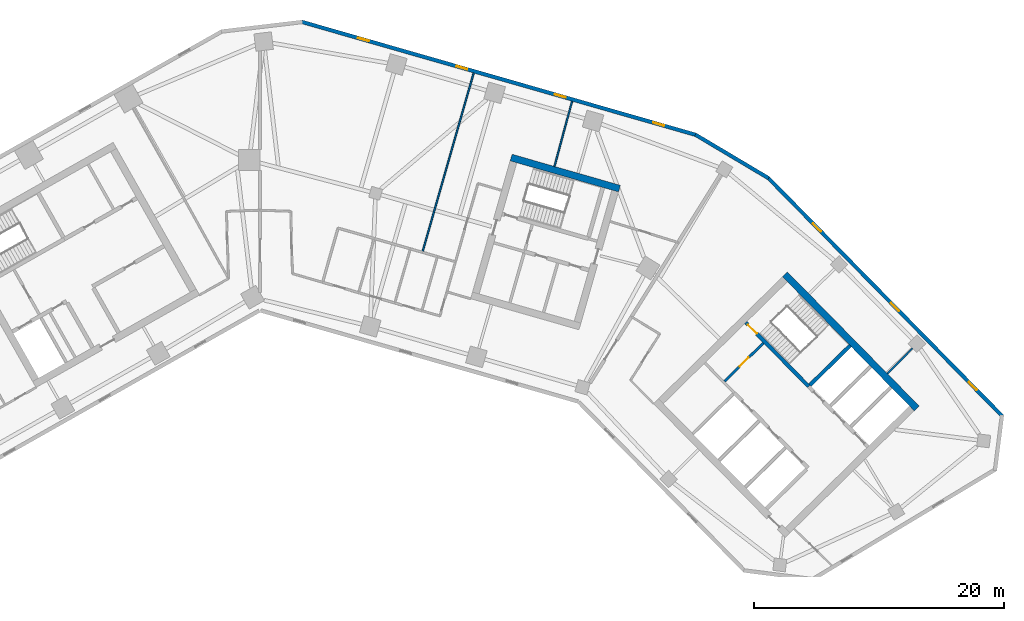
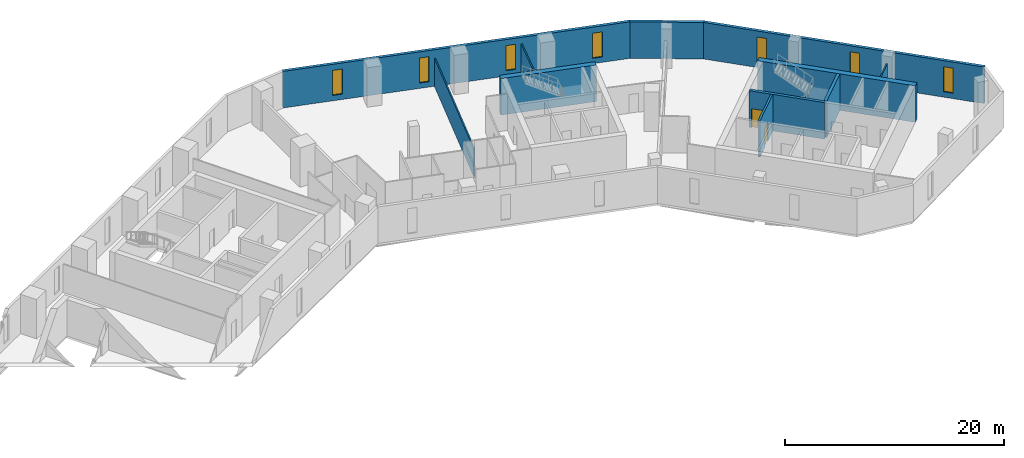
# One storey, part 7 of 10: 11 walls, 7 windows, 2 doors, 9 openings.
"""IFC4 building model written with IfcOpenShell, lengths in metres."""

from ifc_helpers import new_model, si_unit, direction, frame, frame_2d, origin, place, context, subcontext, project, spatial, rectangle, extrude, material, layer, layer_set, type_object, element, fill, save


model = new_model("IFC4")

# Units and contexts
model_context = context("Model", 3, precision=1e-05, world=origin(), true_north=direction((0.0, 1.0)))
body_context = subcontext(model_context, "Body", "Model", "MODEL_VIEW")
ifc_project = project(units=[si_unit("LENGTHUNIT", "METRE"), si_unit("AREAUNIT", "SQUARE_METRE"), si_unit("VOLUMEUNIT", "CUBIC_METRE"), si_unit("PLANEANGLEUNIT", "RADIAN"), si_unit("MASSUNIT", "GRAM", prefix="KILO")], contexts=[model_context])

# Site, building, storey
site_placement = place(None, origin())
site = spatial("IfcSite", under=ifc_project, at=site_placement, CompositionType="ELEMENT")
building_placement = place(site_placement, origin())
building = spatial("IfcBuilding", under=site, at=building_placement, Name="Binnacle Exchange Tower", CompositionType="ELEMENT")
storey_placement = place(building_placement, frame((0.0, 0.0, 101.5)))
storey = spatial("IfcBuildingStorey", under=building, at=storey_placement, Name="L20", CompositionType="ELEMENT", Elevation=101.5)

# Walls
ifc_material_1 = material(Name="Concrete C70/85", Category="concrete")
ifc_layer_1 = layer(ifc_material_1, 0.550048828125)
ifc_layer_set_1 = layer_set([ifc_layer_1], Name="Core wall - outer 550")
wall_type_1 = type_object("IfcWallType", Name="Core wall - outer 550", PredefinedType="SOLIDWALL", material=ifc_layer_set_1)
wall_1_placement = place(storey_placement, frame((41.934326171875, 50.873291015625, 0.0), z_axis=(0.0, 0.0, 1.0), x_axis=(0.700911255944, -0.713248491965, 0.0)))
element("IfcWall", 1, at=wall_1_placement, inside=storey, type_object=wall_type_1, Name="Core wall CRWB6", PredefinedType="SOLIDWALL", context=body_context, shape_type="SweptSolid", body=[
    extrude(rectangle(XDim=15.0, YDim=0.550048828125, at=frame_2d((7.5, 0.0))), origin(), (0.0, 0.0, 1.0), 4.080078125),
])
wall_2_placement = place(storey_placement, frame((20.059814453125, 60.20361328125, 0.0), z_axis=(0.0, 0.0, 1.0), x_axis=(0.96126248289, -0.275634611374, 0.0)))
element("IfcWall", 2, at=wall_2_placement, inside=storey, type_object=wall_type_1, Name="Core wall CRWD6", PredefinedType="SOLIDWALL", context=body_context, shape_type="SweptSolid", body=[
    extrude(rectangle(XDim=9.0, YDim=0.550048828125, at=frame_2d((4.5, 0.0))), origin(), (0.0, 0.0, 1.0), 4.080078125),
])

# Wall, opening, door
ifc_layer_2 = layer(ifc_material_1, 0.300048828125)
ifc_layer_set_2 = layer_set([ifc_layer_2], Name="Core wall - stair 300")
wall_type_2 = type_object("IfcWallType", Name="Core wall - stair 300", PredefinedType="SOLIDWALL", material=ifc_layer_set_2)
wall_3_placement = place(storey_placement, frame((38.806884765625, 47.029052734375, 0.0), z_axis=(0.0, 0.0, 1.0), x_axis=(0.700916852778, -0.713242991898, 0.0)))
wall_3 = element("IfcWall", 3, at=wall_3_placement, inside=storey, type_object=wall_type_2, Name="Core wall CRWB4", PredefinedType="SOLIDWALL", context=body_context, shape_type="SweptSolid", body=[
    extrude(rectangle(XDim=7.150146484375, YDim=0.300048828125, at=frame_2d((3.5751953125, 0.0))), origin(), (0.0, 0.0, 1.0), 4.080078125),
])
opening_1_placement = place(wall_3_placement, frame((0.25, 0.0, 0.0)))
opening_1 = element("IfcOpeningElement", 4, at=opening_1_placement, cuts=wall_3, Name="Opening DB1", PredefinedType="OPENING", context=body_context, shape_type="SweptSolid", body=[
    extrude(rectangle(XDim=1.0, YDim=2.10009765625, at=frame_2d((0.5, 1.050048828125))), frame((0.0, 0.159912109375, 0.0), z_axis=(0.0, -1.0, 0.0), x_axis=(1.0, 0.0, 0.0)), (0.0, 0.0, 1.0), 0.320068359375),
])
ifc_material_2 = material(Name="Steel door leaf", Category="steel")
door_type = type_object("IfcDoorType", Name="Fire door 1000", OperationType="NOTDEFINED", PredefinedType="DOOR", material=ifc_material_2)
door_1_placement = place(opening_1_placement, origin())
door_1 = element("IfcDoor", 5, at=door_1_placement, inside=storey, type_object=door_type, Name="Stair door ST-B1", OperationType="SINGLE_SWING_LEFT", OverallHeight=2.10009765625, OverallWidth=1.0, PredefinedType="DOOR", context=body_context, shape_type="SweptSolid", body=[
    extrude(rectangle(XDim=1.0, YDim=2.10009765625, at=frame_2d((0.5, 1.050048828125))), frame((0.0, 0.02490234375, 0.0), z_axis=(0.0, -1.0, 0.0), x_axis=(1.0, 0.0, 0.0)), (0.0, 0.0, 1.0), 0.050048828125),
])
fill(opening_1, door_1)

# Walls
wall_4_placement = place(storey_placement, frame((43.925537109375, 42.034423828125, 0.0), z_axis=(0.0, 0.0, 1.0), x_axis=(0.713210801054, 0.700949608217, 0.0)))
element("IfcWall", 6, at=wall_4_placement, inside=storey, type_object=wall_type_2, Name="Core wall CRWB11", PredefinedType="SOLIDWALL", context=body_context, shape_type="SweptSolid", body=[
    extrude(rectangle(XDim=4.5, YDim=0.300048828125, at=frame_2d((2.25, 0.0))), origin(), (0.0, 0.0, 1.0), 4.080078125),
])
ifc_material_3 = material(Name="Bronze aluminium cladding", Category="aluminium")
ifc_layer_3 = layer(ifc_material_3, 0.300048828125)
ifc_layer_set_3 = layer_set([ifc_layer_3], Name="External wall - spandrel 300")
wall_type_3 = type_object("IfcWallType", Name="External wall - spandrel 300", PredefinedType="STANDARD", material=ifc_layer_set_3)
wall_5_placement = place(storey_placement, frame((34.773193359375, 62.0341796875, 0.0), z_axis=(0.0, 0.0, 1.0), x_axis=(0.859401317772, -0.511301647769, 0.0)))
element("IfcWall", 7, at=wall_5_placement, inside=storey, type_object=wall_type_3, Name="External wall EW-F00 L20", PredefinedType="STANDARD", context=body_context, shape_type="SweptSolid", body=[
    extrude(rectangle(XDim=6.80810546875, YDim=0.300048828125, at=frame_2d((3.404052734375, 0.0))), origin(), (0.0, 0.0, 1.0), 4.080078125),
])

# Wall, openings, windows
wall_6_placement = place(storey_placement, frame((3.33544921875, 71.043701171875, 0.0), z_axis=(0.0, 0.0, 1.0), x_axis=(0.961260130989, -0.275642813387, 0.0)))
wall_6 = element("IfcWall", 8, at=wall_6_placement, inside=storey, type_object=wall_type_3, Name="External wall EW-F01 L20", PredefinedType="STANDARD", context=body_context, shape_type="SweptSolid", body=[
    extrude(rectangle(XDim=32.7412109375, YDim=0.300048828125, at=frame_2d((16.37060546875, 0.0))), origin(), (0.0, 0.0, 1.0), 4.080078125),
])
opening_2_placement = place(wall_6_placement, frame((29.20703125, 0.0, 0.60009765625)))
opening_2 = element("IfcOpeningElement", 9, at=opening_2_placement, cuts=wall_6, Name="Opening WS2", PredefinedType="OPENING", context=body_context, shape_type="SweptSolid", body=[
    extrude(rectangle(XDim=0.89990234375, YDim=2.800048828125, at=frame_2d((0.449951171875, 1.39990234375))), frame((0.0, 0.159912109375, 0.0), z_axis=(0.0, -1.0, 0.0), x_axis=(1.0, 0.0, 0.0)), (0.0, 0.0, 1.0), 0.320068359375),
])
opening_3_placement = place(wall_6_placement, frame((21.0341796875, 0.0, 0.60009765625)))
opening_3 = element("IfcOpeningElement", 10, at=opening_3_placement, cuts=wall_6, Name="Opening WS2", PredefinedType="OPENING", context=body_context, shape_type="SweptSolid", body=[
    extrude(rectangle(XDim=0.89990234375, YDim=2.800048828125, at=frame_2d((0.449951171875, 1.39990234375))), frame((0.0, 0.159912109375, 0.0), z_axis=(0.0, -1.0, 0.0), x_axis=(1.0, 0.0, 0.0)), (0.0, 0.0, 1.0), 0.320068359375),
])
opening_4_placement = place(wall_6_placement, frame((12.861083984375, 0.0, 0.60009765625)))
opening_4 = element("IfcOpeningElement", 11, at=opening_4_placement, cuts=wall_6, Name="Opening WS2", PredefinedType="OPENING", context=body_context, shape_type="SweptSolid", body=[
    extrude(rectangle(XDim=0.89990234375, YDim=2.800048828125, at=frame_2d((0.449951171875, 1.39990234375))), frame((0.0, 0.159912109375, 0.0), z_axis=(0.0, -1.0, 0.0), x_axis=(1.0, 0.0, 0.0)), (0.0, 0.0, 1.0), 0.320068359375),
])
opening_5_placement = place(wall_6_placement, frame((4.688232421875, 0.0, 0.60009765625)))
opening_5 = element("IfcOpeningElement", 12, at=opening_5_placement, cuts=wall_6, Name="Opening WS2", PredefinedType="OPENING", context=body_context, shape_type="SweptSolid", body=[
    extrude(rectangle(XDim=0.89990234375, YDim=2.800048828125, at=frame_2d((0.449951171875, 1.39990234375))), frame((0.0, 0.159912109375, 0.0), z_axis=(0.0, -1.0, 0.0), x_axis=(1.0, 0.0, 0.0)), (0.0, 0.0, 1.0), 0.320068359375),
])
ifc_material_4 = material(Name="Bronze anodised aluminium frame", Category="aluminium")
window_type = type_object("IfcWindowType", Name="WS2 WINDOW 900x2800", PartitioningType="SINGLE_PANEL", PredefinedType="WINDOW", material=ifc_material_4)
window_1_placement = place(opening_2_placement, origin())
window_1 = element("IfcWindow", 13, at=window_1_placement, inside=storey, type_object=window_type, Name="Window WS2 L20", OverallHeight=2.800048828125, OverallWidth=0.89990234375, PartitioningType="SINGLE_PANEL", PredefinedType="WINDOW", context=body_context, shape_type="SweptSolid", body=[
    extrude(rectangle(XDim=0.89990234375, YDim=2.800048828125, at=frame_2d((0.449951171875, 1.39990234375))), frame((0.0, 0.030029296875, 0.0), z_axis=(0.0, -1.0, 0.0), x_axis=(1.0, 0.0, 0.0)), (0.0, 0.0, 1.0), 0.06005859375),
])
fill(opening_2, window_1)
window_2_placement = place(opening_3_placement, origin())
window_2 = element("IfcWindow", 14, at=window_2_placement, inside=storey, type_object=window_type, Name="Window WS2 L20", OverallHeight=2.800048828125, OverallWidth=0.89990234375, PartitioningType="SINGLE_PANEL", PredefinedType="WINDOW", context=body_context, shape_type="SweptSolid", body=[
    extrude(rectangle(XDim=0.89990234375, YDim=2.800048828125, at=frame_2d((0.449951171875, 1.39990234375))), frame((0.0, 0.030029296875, 0.0), z_axis=(0.0, -1.0, 0.0), x_axis=(1.0, 0.0, 0.0)), (0.0, 0.0, 1.0), 0.06005859375),
])
fill(opening_3, window_2)
window_3_placement = place(opening_4_placement, origin())
window_3 = element("IfcWindow", 15, at=window_3_placement, inside=storey, type_object=window_type, Name="Window WS2 L20", OverallHeight=2.800048828125, OverallWidth=0.89990234375, PartitioningType="SINGLE_PANEL", PredefinedType="WINDOW", context=body_context, shape_type="SweptSolid", body=[
    extrude(rectangle(XDim=0.89990234375, YDim=2.800048828125, at=frame_2d((0.449951171875, 1.39990234375))), frame((0.0, 0.030029296875, 0.0), z_axis=(0.0, -1.0, 0.0), x_axis=(1.0, 0.0, 0.0)), (0.0, 0.0, 1.0), 0.06005859375),
])
fill(opening_4, window_3)
window_4_placement = place(opening_5_placement, origin())
window_4 = element("IfcWindow", 16, at=window_4_placement, inside=storey, type_object=window_type, Name="Window WS2 L20", OverallHeight=2.800048828125, OverallWidth=0.89990234375, PartitioningType="SINGLE_PANEL", PredefinedType="WINDOW", context=body_context, shape_type="SweptSolid", body=[
    extrude(rectangle(XDim=0.89990234375, YDim=2.800048828125, at=frame_2d((0.449951171875, 1.39990234375))), frame((0.0, 0.030029296875, 0.0), z_axis=(0.0, -1.0, 0.0), x_axis=(1.0, 0.0, 0.0)), (0.0, 0.0, 1.0), 0.06005859375),
])
fill(opening_5, window_4)

wall_7_placement = place(storey_placement, frame((40.59375, 58.576904296875, 0.0), z_axis=(0.0, 0.0, 1.0), x_axis=(0.700909719808, -0.713250001528, 0.0)))
wall_7 = element("IfcWall", 17, at=wall_7_placement, inside=storey, type_object=wall_type_3, Name="External wall EW-F13 L20", PredefinedType="STANDARD", context=body_context, shape_type="SweptSolid", body=[
    extrude(rectangle(XDim=26.70849609375, YDim=0.300048828125, at=frame_2d((13.354248046875, 0.0))), origin(), (0.0, 0.0, 1.0), 4.080078125),
])
opening_6_placement = place(wall_7_placement, frame((22.8583984375, 0.0, 0.60009765625)))
opening_6 = element("IfcOpeningElement", 18, at=opening_6_placement, cuts=wall_7, Name="Opening WS2", PredefinedType="OPENING", context=body_context, shape_type="SweptSolid", body=[
    extrude(rectangle(XDim=0.89990234375, YDim=2.800048828125, at=frame_2d((0.449951171875, 1.39990234375))), frame((0.0, 0.159912109375, 0.0), z_axis=(0.0, -1.0, 0.0), x_axis=(1.0, 0.0, 0.0)), (0.0, 0.0, 1.0), 0.320068359375),
])
opening_7_placement = place(wall_7_placement, frame((13.986572265625, 0.0, 0.60009765625)))
opening_7 = element("IfcOpeningElement", 19, at=opening_7_placement, cuts=wall_7, Name="Opening WS2", PredefinedType="OPENING", context=body_context, shape_type="SweptSolid", body=[
    extrude(rectangle(XDim=0.89990234375, YDim=2.800048828125, at=frame_2d((0.449951171875, 1.39990234375))), frame((0.0, 0.159912109375, 0.0), z_axis=(0.0, -1.0, 0.0), x_axis=(1.0, 0.0, 0.0)), (0.0, 0.0, 1.0), 0.320068359375),
])
opening_8_placement = place(wall_7_placement, frame((5.114501953125, 0.0, 0.60009765625)))
opening_8 = element("IfcOpeningElement", 20, at=opening_8_placement, cuts=wall_7, Name="Opening WS2", PredefinedType="OPENING", context=body_context, shape_type="SweptSolid", body=[
    extrude(rectangle(XDim=0.89990234375, YDim=2.800048828125, at=frame_2d((0.449951171875, 1.39990234375))), frame((0.0, 0.159912109375, 0.0), z_axis=(0.0, -1.0, 0.0), x_axis=(1.0, 0.0, 0.0)), (0.0, 0.0, 1.0), 0.320068359375),
])
window_5_placement = place(opening_6_placement, origin())
window_5 = element("IfcWindow", 21, at=window_5_placement, inside=storey, type_object=window_type, Name="Window WS2 L20", OverallHeight=2.800048828125, OverallWidth=0.89990234375, PartitioningType="SINGLE_PANEL", PredefinedType="WINDOW", context=body_context, shape_type="SweptSolid", body=[
    extrude(rectangle(XDim=0.89990234375, YDim=2.800048828125, at=frame_2d((0.449951171875, 1.39990234375))), frame((0.0, 0.030029296875, 0.0), z_axis=(0.0, -1.0, 0.0), x_axis=(1.0, 0.0, 0.0)), (0.0, 0.0, 1.0), 0.06005859375),
])
fill(opening_6, window_5)
window_6_placement = place(opening_7_placement, origin())
window_6 = element("IfcWindow", 22, at=window_6_placement, inside=storey, type_object=window_type, Name="Window WS2 L20", OverallHeight=2.800048828125, OverallWidth=0.89990234375, PartitioningType="SINGLE_PANEL", PredefinedType="WINDOW", context=body_context, shape_type="SweptSolid", body=[
    extrude(rectangle(XDim=0.89990234375, YDim=2.800048828125, at=frame_2d((0.449951171875, 1.39990234375))), frame((0.0, 0.030029296875, 0.0), z_axis=(0.0, -1.0, 0.0), x_axis=(1.0, 0.0, 0.0)), (0.0, 0.0, 1.0), 0.06005859375),
])
fill(opening_7, window_6)
window_7_placement = place(opening_8_placement, origin())
window_7 = element("IfcWindow", 23, at=window_7_placement, inside=storey, type_object=window_type, Name="Window WS2 L20", OverallHeight=2.800048828125, OverallWidth=0.89990234375, PartitioningType="SINGLE_PANEL", PredefinedType="WINDOW", context=body_context, shape_type="SweptSolid", body=[
    extrude(rectangle(XDim=0.89990234375, YDim=2.800048828125, at=frame_2d((0.449951171875, 1.39990234375))), frame((0.0, 0.030029296875, 0.0), z_axis=(0.0, -1.0, 0.0), x_axis=(1.0, 0.0, 0.0)), (0.0, 0.0, 1.0), 0.06005859375),
])
fill(opening_8, window_7)

# Wall, opening, door
ifc_material_5 = material(Name="Masonry block wall", Category="masonry")
ifc_layer_4 = layer(ifc_material_5, 0.199951171875)
ifc_layer_set_4 = layer_set([ifc_layer_4], Name="Fire wall - vestibule 200")
wall_type_4 = type_object("IfcWallType", Name="Fire wall - vestibule 200", PredefinedType="PARTITIONING", material=ifc_layer_set_4)
wall_8_placement = place(storey_placement, frame((37.104248046875, 42.341552734375, 0.0), z_axis=(0.0, 0.0, 1.0), x_axis=(0.713281298468, 0.700877870428, 0.0)))
wall_8 = element("IfcWall", 24, at=wall_8_placement, inside=storey, type_object=wall_type_4, Name="Core wall CRWB8", PredefinedType="PARTITIONING", context=body_context, shape_type="SweptSolid", body=[
    extrude(rectangle(XDim=4.35009765625, YDim=0.199951171875, at=frame_2d((2.175048828125, 0.0))), origin(), (0.0, 0.0, 1.0), 4.080078125),
])
opening_9_placement = place(wall_8_placement, frame((1.699951171875, 0.0, 0.0)))
opening_9 = element("IfcOpeningElement", 25, at=opening_9_placement, cuts=wall_8, Name="Opening DB3", PredefinedType="OPENING", context=body_context, shape_type="SweptSolid", body=[
    extrude(rectangle(XDim=1.0, YDim=2.10009765625, at=frame_2d((0.5, 1.050048828125))), frame((0.0, 0.10986328125, 0.0), z_axis=(0.0, -1.0, 0.0), x_axis=(1.0, 0.0, 0.0)), (0.0, 0.0, 1.0), 0.219970703125),
])
door_2_placement = place(opening_9_placement, origin())
door_2 = element("IfcDoor", 26, at=door_2_placement, inside=storey, type_object=door_type, Name="Vestibule door VEST-W", OperationType="SINGLE_SWING_RIGHT", OverallHeight=2.10009765625, OverallWidth=1.0, PredefinedType="DOOR", context=body_context, shape_type="SweptSolid", body=[
    extrude(rectangle(XDim=1.0, YDim=2.10009765625, at=frame_2d((0.5, 1.050048828125))), frame((0.0, 0.02490234375, 0.0), z_axis=(0.0, -1.0, 0.0), x_axis=(1.0, 0.0, 0.0)), (0.0, 0.0, 1.0), 0.050048828125),
])
fill(opening_9, door_2)

# Walls
ifc_material_6 = material(Name="Gypsum partition")
ifc_layer_5 = layer(ifc_material_6, 0.125)
ifc_layer_set_5 = layer_set([ifc_layer_5], Name="Partition 125")
wall_type_5 = type_object("IfcWallType", Name="Partition 125", PredefinedType="PARTITIONING", material=ifc_layer_set_5)
wall_9_placement = place(storey_placement, frame((12.97412109375, 52.638916015625, 0.0), z_axis=(0.0, 0.0, 1.0), x_axis=(0.275299463768, 0.961358520662, 0.0)))
element("IfcWall", 27, at=wall_9_placement, inside=storey, type_object=wall_type_5, Name="Partition W28", PredefinedType="PARTITIONING", context=body_context, shape_type="SweptSolid", body=[
    extrude(rectangle(XDim=14.88525390625, YDim=0.125, at=frame_2d((7.442626953125, 0.0))), origin(), (0.0, 0.0, 1.0), 3.14208984375),
])
wall_10_placement = place(storey_placement, frame((23.52294921875, 59.4970703125, 0.0), z_axis=(0.0, 0.0, 1.0), x_axis=(0.261275557939, 0.965264255437, 0.0)))
element("IfcWall", 28, at=wall_10_placement, inside=storey, type_object=wall_type_5, Name="Partition W35", PredefinedType="PARTITIONING", context=body_context, shape_type="SweptSolid", body=[
    extrude(rectangle(XDim=5.385009765625, YDim=0.125, at=frame_2d((2.6923828125, 0.0))), origin(), (0.0, 0.0, 1.0), 3.360107421875),
])
wall_11_placement = place(storey_placement, frame((50.111083984375, 42.945068359375, 0.0), z_axis=(0.0, 0.0, 1.0), x_axis=(0.703595931147, 0.710600285445, 0.0)))
element("IfcWall", 29, at=wall_11_placement, inside=storey, type_object=wall_type_5, Name="Partition W44", PredefinedType="PARTITIONING", context=body_context, shape_type="SweptSolid", body=[
    extrude(rectangle(XDim=2.858154296875, YDim=0.125, at=frame_2d((1.42919921875, 0.0))), origin(), (0.0, 0.0, 1.0), 3.610107421875),
])

save(model, "model.ifc")
